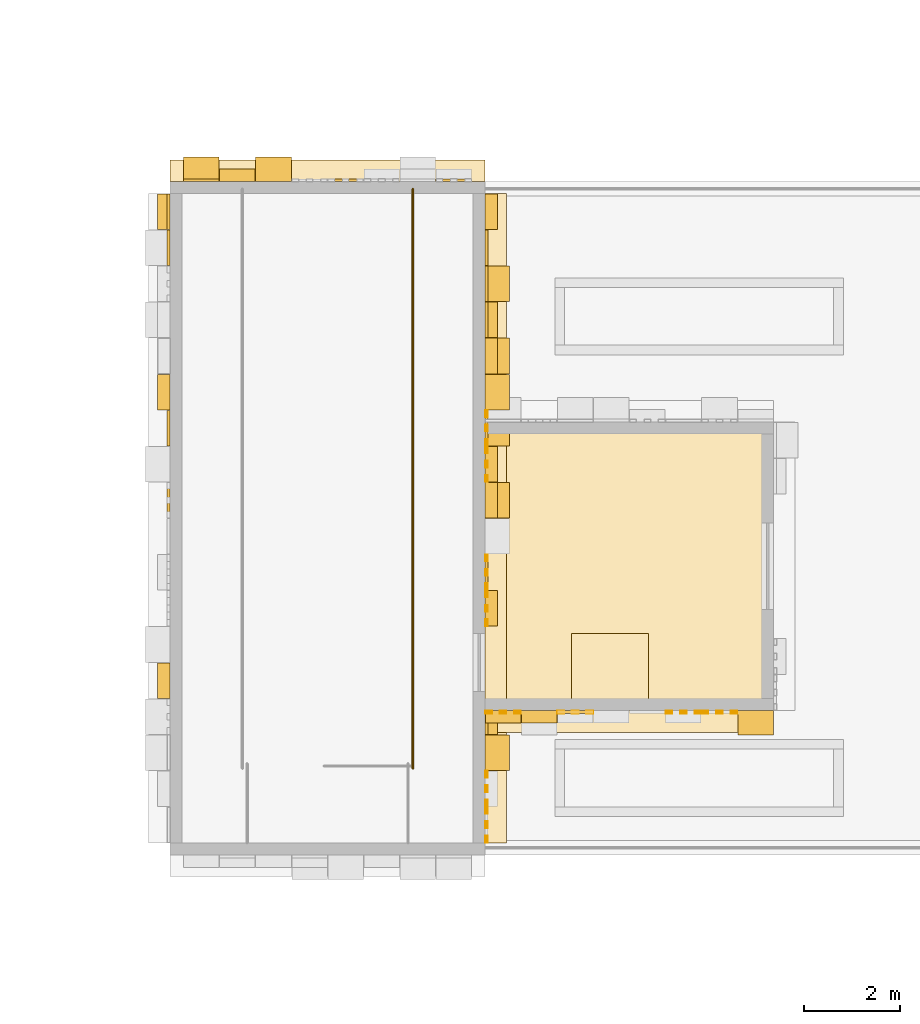
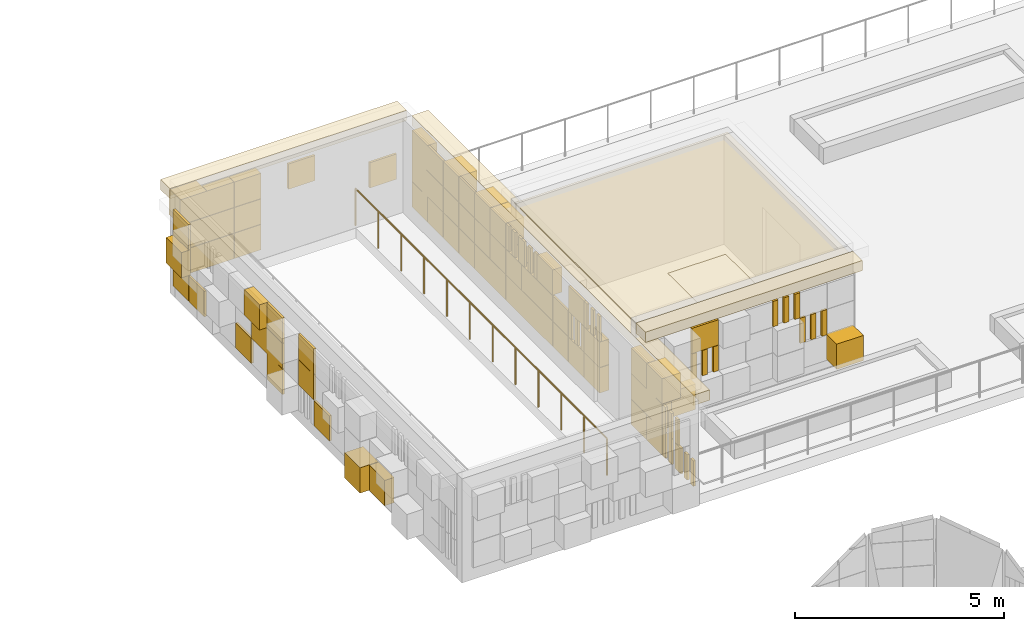
# One storey, part 81 of 98: 17 coverings, 1 railing.
"""IFC4 building model written with IfcOpenShell, lengths in metres."""

from ifc_helpers import new_model, si_unit, direction, frame, origin, origin_2d, place, context, subcontext, project, spatial, polyline, rectangle, circle, outline, extrude, material, layer, layer_set, type_object, element, save


model = new_model("IFC4")

# Units and contexts
model_context = context("Model", 3, precision=1e-05, world=origin(), true_north=direction((0.0, 1.0)))
body_context = subcontext(model_context, "Body", "Model", "MODEL_VIEW")
ifc_project = project(units=[si_unit("LENGTHUNIT", "METRE"), si_unit("AREAUNIT", "SQUARE_METRE"), si_unit("VOLUMEUNIT", "CUBIC_METRE"), si_unit("PLANEANGLEUNIT", "RADIAN"), si_unit("MASSUNIT", "GRAM", prefix="KILO")], contexts=[model_context])

# Site, building, storey
site_placement = place(None, origin())
site = spatial("IfcSite", under=ifc_project, at=site_placement, CompositionType="ELEMENT")
building_placement = place(site_placement, origin())
building = spatial("IfcBuilding", under=site, at=building_placement, Name="Sun Court Science Centre", CompositionType="ELEMENT")
storey_placement = place(building_placement, frame((0.0, 0.0, 15.75)))
storey = spatial("IfcBuildingStorey", under=building, at=storey_placement, Name="L03", CompositionType="ELEMENT", Elevation=15.75)

# Coverings
ifc_material_1 = material(Name="Gypsum board")
ifc_layer_1 = layer(ifc_material_1, 0.030029296875)
ifc_layer_set_1 = layer_set([ifc_layer_1], Name="Gypsum board")
covering_type_1 = type_object("IfcCoveringType", Name="Ceiling suspended 600 module", PredefinedType="CEILING", material=ifc_layer_set_1)
covering_1_placement = place(storey_placement, frame((0.0, 0.0, 3.02001953125)))
element("IfcCovering", 1, at=covering_1_placement, inside=storey, type_object=covering_type_1, Name="L03-034 ceiling", PredefinedType="CEILING", context=body_context, shape_type="SweptSolid", body=[
    extrude(outline(polyline([(45.949951171875, 40.60009765625), (44.35009765625, 40.60009765625), (44.35009765625, 39.0), (42.64990234375, 39.0), (42.64990234375, 45.0), (48.550048828125, 45.0), (48.550048828125, 39.0), (45.949951171875, 39.0), (45.949951171875, 40.60009765625)])), origin(), (0.0, 0.0, 1.0), 0.030029296875),
])
covering_2_placement = place(storey_placement, frame((0.0, 0.0, 3.02001953125)))
element("IfcCovering", 2, at=covering_2_placement, inside=storey, type_object=covering_type_1, Name="L03-035 ceiling", PredefinedType="CEILING", context=body_context, shape_type="SweptSolid", body=[
    extrude(outline(polyline([(45.949951171875, 40.60009765625), (45.949951171875, 39.0), (44.35009765625, 39.0), (44.35009765625, 40.60009765625), (45.949951171875, 40.60009765625)])), origin(), (0.0, 0.0, 1.0), 0.030029296875),
])

# Railing
ifc_material_2 = material(Name="Steel S275", Category="steel")
railing_type = type_object("IfcRailingType", Name="Guard 1100 steel balustrade", PredefinedType="GUARDRAIL", material=ifc_material_2)
railing_placement = place(storey_placement, frame((41.048095703125, 37.798095703125, 0.0)))
element("IfcRailing", 3, at=railing_placement, inside=storey, type_object=railing_type, Name="L03 SP1 top well guard 2", PredefinedType="GUARDRAIL", context=body_context, shape_type="SweptSolid", body=[
    extrude(circle(Radius=0.02392578125, at=origin_2d()), frame((0.0, 0.0, 1.076171875), z_axis=(0.0, 1.0, 0.0), x_axis=(-1.0, 0.0, 0.0)), (0.0, 0.0, 1.0), 12.052001953125),
    extrude(circle(Radius=0.02099609375, at=origin_2d()), origin(), (0.0, 0.0, 1.0), 1.052001953125),
    extrude(circle(Radius=0.02099609375, at=origin_2d()), frame((0.0, 1.095703125, 0.0)), (0.0, 0.0, 1.0), 1.052001953125),
    extrude(circle(Radius=0.02099609375, at=origin_2d()), frame((0.0, 2.191162109375, 0.0)), (0.0, 0.0, 1.0), 1.052001953125),
    extrude(circle(Radius=0.02099609375, at=origin_2d()), frame((0.0, 3.286865234375, 0.0)), (0.0, 0.0, 1.0), 1.052001953125),
    extrude(circle(Radius=0.02099609375, at=origin_2d()), frame((0.0, 4.382568359375, 0.0)), (0.0, 0.0, 1.0), 1.052001953125),
    extrude(circle(Radius=0.02099609375, at=origin_2d()), frame((0.0, 5.478271484375, 0.0)), (0.0, 0.0, 1.0), 1.052001953125),
    extrude(circle(Radius=0.02099609375, at=origin_2d()), frame((0.0, 6.57373046875, 0.0)), (0.0, 0.0, 1.0), 1.052001953125),
    extrude(circle(Radius=0.02099609375, at=origin_2d()), frame((0.0, 7.66943359375, 0.0)), (0.0, 0.0, 1.0), 1.052001953125),
    extrude(circle(Radius=0.02099609375, at=origin_2d()), frame((0.0, 8.76513671875, 0.0)), (0.0, 0.0, 1.0), 1.052001953125),
    extrude(circle(Radius=0.02099609375, at=origin_2d()), frame((0.0, 9.86083984375, 0.0)), (0.0, 0.0, 1.0), 1.052001953125),
    extrude(circle(Radius=0.02099609375, at=origin_2d()), frame((0.0, 10.956298828125, 0.0)), (0.0, 0.0, 1.0), 1.052001953125),
    extrude(circle(Radius=0.02099609375, at=origin_2d()), frame((0.0, 12.052001953125, 0.0)), (0.0, 0.0, 1.0), 1.052001953125),
])

# Coverings
ifc_material_3 = material(Name="Terracotta panel", Category="masonry")
ifc_layer_2 = layer(ifc_material_3, 0.449951171875)
ifc_layer_set_2 = layer_set([ifc_layer_2], Name="Terracotta panel")
covering_type_2 = type_object("IfcCoveringType", Name="Terracotta cornice 450", PredefinedType="CLADDING", material=ifc_layer_set_2)
covering_3_placement = place(storey_placement, frame((0.0, 0.0, -15.75)))
element("IfcCovering", 4, at=covering_3_placement, inside=storey, type_object=covering_type_2, Name="Terracotta cornice east face of core L03", PredefinedType="CLADDING", context=body_context, shape_type="SweptSolid", body=[
    extrude(rectangle(XDim=13.5, YDim=0.449951171875, at=origin_2d()), frame((42.77490234375, 43.0, 18.2001953125), z_axis=(0.0, 0.0, 1.0), x_axis=(0.0, -1.0, 0.0)), (0.0, 0.0, 1.0), 0.300048828125),
])
covering_4_placement = place(storey_placement, frame((0.0, 0.0, -15.75)))
element("IfcCovering", 5, at=covering_4_placement, inside=storey, type_object=covering_type_2, Name="Terracotta cornice north face of core L03", PredefinedType="CLADDING", context=body_context, shape_type="SweptSolid", body=[
    extrude(rectangle(XDim=6.550048828125, YDim=0.449951171875, at=origin_2d()), frame((39.27490234375, 50.22509765625, 18.2001953125), z_axis=(0.0, 0.0, 1.0), x_axis=(1.0, 0.0, 0.0)), (0.0, 0.0, 1.0), 0.300048828125),
])
covering_5_placement = place(storey_placement, frame((0.0, 0.0, -15.75)))
element("IfcCovering", 6, at=covering_5_placement, inside=storey, type_object=covering_type_2, Name="Terracotta cornice south wall L03", PredefinedType="CLADDING", context=body_context, shape_type="SweptSolid", body=[
    extrude(rectangle(XDim=6.0, YDim=0.449951171875, at=origin_2d()), frame((45.550048828125, 38.77490234375, 18.64990234375), z_axis=(0.0, 0.0, 1.0), x_axis=(-1.0, 0.0, 0.0)), (0.0, 0.0, 1.0), 0.300048828125),
])
ifc_material_4 = material(Name="Terracotta jali", Category="masonry")
ifc_layer_3 = layer(ifc_material_4, 0.06005859375)
ifc_layer_set_3 = layer_set([ifc_layer_3], Name="Terracotta jali")
covering_type_3 = type_object("IfcCoveringType", Name="Terracotta open jali panel", PredefinedType="CLADDING", material=ifc_layer_set_3)
covering_6_placement = place(storey_placement, frame((0.0, 0.0, -15.75)))
element("IfcCovering", 7, at=covering_6_placement, inside=storey, type_object=covering_type_3, Name="Open jali pixel cladding east face of core L03", PredefinedType="CLADDING", context=body_context, shape_type="SweptSolid", body=[
    extrude(rectangle(XDim=0.139892578125, YDim=0.06005859375, at=origin_2d()), frame((42.580078125, 37.675048828125, 15.830078125), z_axis=(0.0, 0.0, 1.0), x_axis=(0.0, -1.0, 0.0)), (0.0, 0.0, 1.0), 0.739990234375),
    extrude(rectangle(XDim=0.139892578125, YDim=0.06005859375, at=origin_2d()), frame((42.580078125, 37.375, 15.830078125), z_axis=(0.0, 0.0, 1.0), x_axis=(0.0, -1.0, 0.0)), (0.0, 0.0, 1.0), 0.739990234375),
    extrude(rectangle(XDim=0.139892578125, YDim=0.06005859375, at=origin_2d()), frame((42.580078125, 37.074951171875, 15.830078125), z_axis=(0.0, 0.0, 1.0), x_axis=(0.0, -1.0, 0.0)), (0.0, 0.0, 1.0), 0.739990234375),
    extrude(rectangle(XDim=0.139892578125, YDim=0.06005859375, at=origin_2d()), frame((42.580078125, 36.925048828125, 15.830078125), z_axis=(0.0, 0.0, 1.0), x_axis=(0.0, -1.0, 0.0)), (0.0, 0.0, 1.0), 0.739990234375),
    extrude(rectangle(XDim=0.139892578125, YDim=0.06005859375, at=origin_2d()), frame((42.580078125, 36.625, 15.830078125), z_axis=(0.0, 0.0, 1.0), x_axis=(0.0, -1.0, 0.0)), (0.0, 0.0, 1.0), 0.739990234375),
    extrude(rectangle(XDim=0.139892578125, YDim=0.06005859375, at=origin_2d()), frame((42.580078125, 36.324951171875, 15.830078125), z_axis=(0.0, 0.0, 1.0), x_axis=(0.0, -1.0, 0.0)), (0.0, 0.0, 1.0), 0.739990234375),
    extrude(rectangle(XDim=0.139892578125, YDim=0.06005859375, at=origin_2d()), frame((42.580078125, 42.175048828125, 16.580078125), z_axis=(0.0, 0.0, 1.0), x_axis=(0.0, -1.0, 0.0)), (0.0, 0.0, 1.0), 0.739990234375),
    extrude(rectangle(XDim=0.139892578125, YDim=0.06005859375, at=origin_2d()), frame((42.580078125, 41.875, 16.580078125), z_axis=(0.0, 0.0, 1.0), x_axis=(0.0, -1.0, 0.0)), (0.0, 0.0, 1.0), 0.739990234375),
    extrude(rectangle(XDim=0.139892578125, YDim=0.06005859375, at=origin_2d()), frame((42.580078125, 41.574951171875, 16.580078125), z_axis=(0.0, 0.0, 1.0), x_axis=(0.0, -1.0, 0.0)), (0.0, 0.0, 1.0), 0.739990234375),
    extrude(rectangle(XDim=0.139892578125, YDim=0.06005859375, at=origin_2d()), frame((42.580078125, 37.675048828125, 16.580078125), z_axis=(0.0, 0.0, 1.0), x_axis=(0.0, -1.0, 0.0)), (0.0, 0.0, 1.0), 0.739990234375),
    extrude(rectangle(XDim=0.139892578125, YDim=0.06005859375, at=origin_2d()), frame((42.580078125, 37.375, 16.580078125), z_axis=(0.0, 0.0, 1.0), x_axis=(0.0, -1.0, 0.0)), (0.0, 0.0, 1.0), 0.739990234375),
    extrude(rectangle(XDim=0.139892578125, YDim=0.06005859375, at=origin_2d()), frame((42.580078125, 37.074951171875, 16.580078125), z_axis=(0.0, 0.0, 1.0), x_axis=(0.0, -1.0, 0.0)), (0.0, 0.0, 1.0), 0.739990234375),
    extrude(rectangle(XDim=0.139892578125, YDim=0.06005859375, at=origin_2d()), frame((42.580078125, 45.175048828125, 17.330078125), z_axis=(0.0, 0.0, 1.0), x_axis=(0.0, -1.0, 0.0)), (0.0, 0.0, 1.0), 0.739990234375),
    extrude(rectangle(XDim=0.139892578125, YDim=0.06005859375, at=origin_2d()), frame((42.580078125, 44.875, 17.330078125), z_axis=(0.0, 0.0, 1.0), x_axis=(0.0, -1.0, 0.0)), (0.0, 0.0, 1.0), 0.739990234375),
    extrude(rectangle(XDim=0.139892578125, YDim=0.06005859375, at=origin_2d()), frame((42.580078125, 44.574951171875, 17.330078125), z_axis=(0.0, 0.0, 1.0), x_axis=(0.0, -1.0, 0.0)), (0.0, 0.0, 1.0), 0.739990234375),
    extrude(rectangle(XDim=0.139892578125, YDim=0.06005859375, at=origin_2d()), frame((42.580078125, 44.425048828125, 17.330078125), z_axis=(0.0, 0.0, 1.0), x_axis=(0.0, -1.0, 0.0)), (0.0, 0.0, 1.0), 0.739990234375),
    extrude(rectangle(XDim=0.139892578125, YDim=0.06005859375, at=origin_2d()), frame((42.580078125, 44.125, 17.330078125), z_axis=(0.0, 0.0, 1.0), x_axis=(0.0, -1.0, 0.0)), (0.0, 0.0, 1.0), 0.739990234375),
    extrude(rectangle(XDim=0.139892578125, YDim=0.06005859375, at=origin_2d()), frame((42.580078125, 43.824951171875, 17.330078125), z_axis=(0.0, 0.0, 1.0), x_axis=(0.0, -1.0, 0.0)), (0.0, 0.0, 1.0), 0.739990234375),
    extrude(rectangle(XDim=0.139892578125, YDim=0.06005859375, at=origin_2d()), frame((42.580078125, 41.425048828125, 17.330078125), z_axis=(0.0, 0.0, 1.0), x_axis=(0.0, -1.0, 0.0)), (0.0, 0.0, 1.0), 0.739990234375),
    extrude(rectangle(XDim=0.139892578125, YDim=0.06005859375, at=origin_2d()), frame((42.580078125, 41.125, 17.330078125), z_axis=(0.0, 0.0, 1.0), x_axis=(0.0, -1.0, 0.0)), (0.0, 0.0, 1.0), 0.739990234375),
    extrude(rectangle(XDim=0.139892578125, YDim=0.06005859375, at=origin_2d()), frame((42.580078125, 40.824951171875, 17.330078125), z_axis=(0.0, 0.0, 1.0), x_axis=(0.0, -1.0, 0.0)), (0.0, 0.0, 1.0), 0.739990234375),
])
covering_7_placement = place(storey_placement, frame((0.0, 0.0, -15.75)))
element("IfcCovering", 8, at=covering_7_placement, inside=storey, type_object=covering_type_3, Name="Open jali pixel cladding south wall L03", PredefinedType="CLADDING", context=body_context, shape_type="SweptSolid", body=[
    extrude(rectangle(XDim=0.139892578125, YDim=0.06005859375, at=origin_2d()), frame((47.72509765625, 38.969970703125, 16.80517578125), z_axis=(0.0, 0.0, 1.0), x_axis=(-1.0, 0.0, 0.0)), (0.0, 0.0, 1.0), 0.739990234375),
    extrude(rectangle(XDim=0.139892578125, YDim=0.06005859375, at=origin_2d()), frame((47.425048828125, 38.969970703125, 16.80517578125), z_axis=(0.0, 0.0, 1.0), x_axis=(-1.0, 0.0, 0.0)), (0.0, 0.0, 1.0), 0.739990234375),
    extrude(rectangle(XDim=0.139892578125, YDim=0.06005859375, at=origin_2d()), frame((47.125, 38.969970703125, 16.80517578125), z_axis=(0.0, 0.0, 1.0), x_axis=(-1.0, 0.0, 0.0)), (0.0, 0.0, 1.0), 0.739990234375),
    extrude(rectangle(XDim=0.139892578125, YDim=0.06005859375, at=origin_2d()), frame((44.72509765625, 38.969970703125, 16.80517578125), z_axis=(0.0, 0.0, 1.0), x_axis=(-1.0, 0.0, 0.0)), (0.0, 0.0, 1.0), 0.739990234375),
    extrude(rectangle(XDim=0.139892578125, YDim=0.06005859375, at=origin_2d()), frame((44.425048828125, 38.969970703125, 16.80517578125), z_axis=(0.0, 0.0, 1.0), x_axis=(-1.0, 0.0, 0.0)), (0.0, 0.0, 1.0), 0.739990234375),
    extrude(rectangle(XDim=0.139892578125, YDim=0.06005859375, at=origin_2d()), frame((44.125, 38.969970703125, 16.80517578125), z_axis=(0.0, 0.0, 1.0), x_axis=(-1.0, 0.0, 0.0)), (0.0, 0.0, 1.0), 0.739990234375),
    extrude(rectangle(XDim=0.139892578125, YDim=0.06005859375, at=origin_2d()), frame((43.22509765625, 38.969970703125, 16.80517578125), z_axis=(0.0, 0.0, 1.0), x_axis=(-1.0, 0.0, 0.0)), (0.0, 0.0, 1.0), 0.739990234375),
    extrude(rectangle(XDim=0.139892578125, YDim=0.06005859375, at=origin_2d()), frame((42.925048828125, 38.969970703125, 16.80517578125), z_axis=(0.0, 0.0, 1.0), x_axis=(-1.0, 0.0, 0.0)), (0.0, 0.0, 1.0), 0.739990234375),
    extrude(rectangle(XDim=0.139892578125, YDim=0.06005859375, at=origin_2d()), frame((42.625, 38.969970703125, 16.80517578125), z_axis=(0.0, 0.0, 1.0), x_axis=(-1.0, 0.0, 0.0)), (0.0, 0.0, 1.0), 0.739990234375),
    extrude(rectangle(XDim=0.139892578125, YDim=0.06005859375, at=origin_2d()), frame((46.97509765625, 38.969970703125, 17.55517578125), z_axis=(0.0, 0.0, 1.0), x_axis=(-1.0, 0.0, 0.0)), (0.0, 0.0, 1.0), 0.739990234375),
    extrude(rectangle(XDim=0.139892578125, YDim=0.06005859375, at=origin_2d()), frame((46.675048828125, 38.969970703125, 17.55517578125), z_axis=(0.0, 0.0, 1.0), x_axis=(-1.0, 0.0, 0.0)), (0.0, 0.0, 1.0), 0.739990234375),
    extrude(rectangle(XDim=0.139892578125, YDim=0.06005859375, at=origin_2d()), frame((46.375, 38.969970703125, 17.55517578125), z_axis=(0.0, 0.0, 1.0), x_axis=(-1.0, 0.0, 0.0)), (0.0, 0.0, 1.0), 0.739990234375),
])
ifc_material_5 = material(Name="Terracotta shade 1", Category="masonry")
ifc_layer_4 = layer(ifc_material_5, 0.06005859375)
ifc_layer_set_4 = layer_set([ifc_layer_4], Name="Terracotta shade 1")
covering_type_4 = type_object("IfcCoveringType", Name="Terracotta pixel panel shade 1", PredefinedType="CLADDING", material=ifc_layer_set_4)
covering_8_placement = place(storey_placement, frame((0.0, 0.0, -15.75)))
element("IfcCovering", 9, at=covering_8_placement, inside=storey, type_object=covering_type_4, Name="Terracotta pixel cladding shade 1 east face of core L03", PredefinedType="CLADDING", context=body_context, shape_type="SweptSolid", body=[
    extrude(rectangle(XDim=0.739990234375, YDim=0.260009765625, at=origin_2d()), frame((42.679931640625, 47.125, 15.830078125), z_axis=(0.0, 0.0, 1.0), x_axis=(0.0, -1.0, 0.0)), (0.0, 0.0, 1.0), 0.739990234375),
    extrude(rectangle(XDim=0.739990234375, YDim=0.06005859375, at=origin_2d()), frame((42.580078125, 42.625, 15.830078125), z_axis=(0.0, 0.0, 1.0), x_axis=(0.0, -1.0, 0.0)), (0.0, 0.0, 1.0), 0.739990234375),
    extrude(rectangle(XDim=0.739990234375, YDim=0.06005859375, at=origin_2d()), frame((42.580078125, 48.625, 16.580078125), z_axis=(0.0, 0.0, 1.0), x_axis=(0.0, -1.0, 0.0)), (0.0, 0.0, 1.0), 0.739990234375),
    extrude(rectangle(XDim=0.739990234375, YDim=0.06005859375, at=origin_2d()), frame((42.580078125, 47.125, 16.580078125), z_axis=(0.0, 0.0, 1.0), x_axis=(0.0, -1.0, 0.0)), (0.0, 0.0, 1.0), 0.739990234375),
    extrude(rectangle(XDim=0.739990234375, YDim=0.510009765625, at=origin_2d()), frame((42.804931640625, 45.625, 16.580078125), z_axis=(0.0, 0.0, 1.0), x_axis=(0.0, -1.0, 0.0)), (0.0, 0.0, 1.0), 0.739990234375),
    extrude(rectangle(XDim=0.739990234375, YDim=0.260009765625, at=origin_2d()), frame((42.679931640625, 44.125, 16.580078125), z_axis=(0.0, 0.0, 1.0), x_axis=(0.0, -1.0, 0.0)), (0.0, 0.0, 1.0), 0.739990234375),
    extrude(rectangle(XDim=0.739990234375, YDim=0.06005859375, at=origin_2d()), frame((42.580078125, 43.375, 16.580078125), z_axis=(0.0, 0.0, 1.0), x_axis=(0.0, -1.0, 0.0)), (0.0, 0.0, 1.0), 0.739990234375),
    extrude(rectangle(XDim=0.739990234375, YDim=0.260009765625, at=origin_2d()), frame((42.679931640625, 41.125, 16.580078125), z_axis=(0.0, 0.0, 1.0), x_axis=(0.0, -1.0, 0.0)), (0.0, 0.0, 1.0), 0.739990234375),
    extrude(rectangle(XDim=0.739990234375, YDim=0.260009765625, at=origin_2d()), frame((42.679931640625, 49.375, 17.330078125), z_axis=(0.0, 0.0, 1.0), x_axis=(0.0, -1.0, 0.0)), (0.0, 0.0, 1.0), 0.739990234375),
    extrude(rectangle(XDim=0.739990234375, YDim=0.06005859375, at=origin_2d()), frame((42.580078125, 48.625, 17.330078125), z_axis=(0.0, 0.0, 1.0), x_axis=(0.0, -1.0, 0.0)), (0.0, 0.0, 1.0), 0.739990234375),
    extrude(rectangle(XDim=0.739990234375, YDim=0.510009765625, at=origin_2d()), frame((42.804931640625, 46.375, 17.330078125), z_axis=(0.0, 0.0, 1.0), x_axis=(0.0, -1.0, 0.0)), (0.0, 0.0, 1.0), 0.739990234375),
    extrude(rectangle(XDim=0.739990234375, YDim=0.260009765625, at=origin_2d()), frame((42.679931640625, 38.875, 17.330078125), z_axis=(0.0, 0.0, 1.0), x_axis=(0.0, -1.0, 0.0)), (0.0, 0.0, 1.0), 0.739990234375),
    extrude(rectangle(XDim=0.739990234375, YDim=0.06005859375, at=origin_2d()), frame((42.580078125, 49.375, 15.830078125), z_axis=(0.0, 0.0, 1.0), x_axis=(0.0, -1.0, 0.0)), (0.0, 0.0, 1.0), 0.739990234375),
    extrude(rectangle(XDim=0.739990234375, YDim=0.06005859375, at=origin_2d()), frame((42.580078125, 49.375, 16.580078125), z_axis=(0.0, 0.0, 1.0), x_axis=(0.0, -1.0, 0.0)), (0.0, 0.0, 1.0), 0.739990234375),
    extrude(rectangle(XDim=0.739990234375, YDim=0.260009765625, at=origin_2d()), frame((42.679931640625, 38.875, 15.830078125), z_axis=(0.0, 0.0, 1.0), x_axis=(0.0, -1.0, 0.0)), (0.0, 0.0, 1.0), 0.739990234375),
])
covering_9_placement = place(storey_placement, frame((0.0, 0.0, -15.75)))
element("IfcCovering", 10, at=covering_9_placement, inside=storey, type_object=covering_type_4, Name="Terracotta pixel cladding shade 1 west face of core L03", PredefinedType="CLADDING", context=body_context, shape_type="SweptSolid", body=[
    extrude(rectangle(XDim=0.739990234375, YDim=0.260009765625, at=origin_2d()), frame((35.8701171875, 39.625, 15.830078125), z_axis=(0.0, 0.0, 1.0), x_axis=(0.0, 1.0, 0.0)), (0.0, 0.0, 1.0), 0.739990234375),
    extrude(rectangle(XDim=0.739990234375, YDim=0.510009765625, at=origin_2d()), frame((35.7451171875, 40.375, 15.830078125), z_axis=(0.0, 0.0, 1.0), x_axis=(0.0, 1.0, 0.0)), (0.0, 0.0, 1.0), 0.739990234375),
    extrude(rectangle(XDim=0.739990234375, YDim=0.06005859375, at=origin_2d()), frame((35.969970703125, 42.625, 15.830078125), z_axis=(0.0, 0.0, 1.0), x_axis=(0.0, 1.0, 0.0)), (0.0, 0.0, 1.0), 0.739990234375),
    extrude(rectangle(XDim=0.739990234375, YDim=0.06005859375, at=origin_2d()), frame((35.969970703125, 44.875, 15.830078125), z_axis=(0.0, 0.0, 1.0), x_axis=(0.0, 1.0, 0.0)), (0.0, 0.0, 1.0), 0.739990234375),
    extrude(rectangle(XDim=0.739990234375, YDim=0.06005859375, at=origin_2d()), frame((35.969970703125, 46.375, 15.830078125), z_axis=(0.0, 0.0, 1.0), x_axis=(0.0, 1.0, 0.0)), (0.0, 0.0, 1.0), 0.739990234375),
    extrude(rectangle(XDim=0.739990234375, YDim=0.06005859375, at=origin_2d()), frame((35.969970703125, 48.625, 15.830078125), z_axis=(0.0, 0.0, 1.0), x_axis=(0.0, 1.0, 0.0)), (0.0, 0.0, 1.0), 0.739990234375),
    extrude(rectangle(XDim=0.739990234375, YDim=0.06005859375, at=origin_2d()), frame((35.969970703125, 43.375, 16.580078125), z_axis=(0.0, 0.0, 1.0), x_axis=(0.0, 1.0, 0.0)), (0.0, 0.0, 1.0), 0.739990234375),
    extrude(rectangle(XDim=0.739990234375, YDim=0.06005859375, at=origin_2d()), frame((35.969970703125, 44.875, 16.580078125), z_axis=(0.0, 0.0, 1.0), x_axis=(0.0, 1.0, 0.0)), (0.0, 0.0, 1.0), 0.739990234375),
    extrude(rectangle(XDim=0.739990234375, YDim=0.06005859375, at=origin_2d()), frame((35.969970703125, 45.625, 16.580078125), z_axis=(0.0, 0.0, 1.0), x_axis=(0.0, 1.0, 0.0)), (0.0, 0.0, 1.0), 0.739990234375),
    extrude(rectangle(XDim=0.739990234375, YDim=0.260009765625, at=origin_2d()), frame((35.8701171875, 49.375, 16.580078125), z_axis=(0.0, 0.0, 1.0), x_axis=(0.0, 1.0, 0.0)), (0.0, 0.0, 1.0), 0.739990234375),
    extrude(rectangle(XDim=0.739990234375, YDim=0.06005859375, at=origin_2d()), frame((35.969970703125, 43.375, 17.330078125), z_axis=(0.0, 0.0, 1.0), x_axis=(0.0, 1.0, 0.0)), (0.0, 0.0, 1.0), 0.739990234375),
    extrude(rectangle(XDim=0.739990234375, YDim=0.06005859375, at=origin_2d()), frame((35.969970703125, 44.875, 17.330078125), z_axis=(0.0, 0.0, 1.0), x_axis=(0.0, 1.0, 0.0)), (0.0, 0.0, 1.0), 0.739990234375),
    extrude(rectangle(XDim=0.739990234375, YDim=0.260009765625, at=origin_2d()), frame((35.8701171875, 45.625, 17.330078125), z_axis=(0.0, 0.0, 1.0), x_axis=(0.0, 1.0, 0.0)), (0.0, 0.0, 1.0), 0.739990234375),
    extrude(rectangle(XDim=0.739990234375, YDim=0.06005859375, at=origin_2d()), frame((35.969970703125, 49.375, 17.330078125), z_axis=(0.0, 0.0, 1.0), x_axis=(0.0, 1.0, 0.0)), (0.0, 0.0, 1.0), 0.739990234375),
    extrude(rectangle(XDim=0.739990234375, YDim=0.06005859375, at=origin_2d()), frame((35.969970703125, 49.375, 15.830078125), z_axis=(0.0, 0.0, 1.0), x_axis=(0.0, 1.0, 0.0)), (0.0, 0.0, 1.0), 0.739990234375),
])
ifc_material_6 = material(Name="Terracotta shade 2", Category="masonry")
ifc_layer_5 = layer(ifc_material_6, 0.06005859375)
ifc_layer_set_5 = layer_set([ifc_layer_5], Name="Terracotta shade 2")
covering_type_5 = type_object("IfcCoveringType", Name="Terracotta pixel panel shade 2", PredefinedType="CLADDING", material=ifc_layer_set_5)
covering_10_placement = place(storey_placement, frame((0.0, 0.0, -15.75)))
element("IfcCovering", 11, at=covering_10_placement, inside=storey, type_object=covering_type_5, Name="Terracotta pixel cladding shade 2 east face of core L03", PredefinedType="CLADDING", context=body_context, shape_type="SweptSolid", body=[
    extrude(rectangle(XDim=0.739990234375, YDim=0.06005859375, at=origin_2d()), frame((42.580078125, 48.625, 15.830078125), z_axis=(0.0, 0.0, 1.0), x_axis=(0.0, -1.0, 0.0)), (0.0, 0.0, 1.0), 0.739990234375),
    extrude(rectangle(XDim=0.739990234375, YDim=0.510009765625, at=origin_2d()), frame((42.804931640625, 47.875, 15.830078125), z_axis=(0.0, 0.0, 1.0), x_axis=(0.0, -1.0, 0.0)), (0.0, 0.0, 1.0), 0.739990234375),
    extrude(rectangle(XDim=0.739990234375, YDim=0.260009765625, at=origin_2d()), frame((42.679931640625, 41.125, 15.830078125), z_axis=(0.0, 0.0, 1.0), x_axis=(0.0, -1.0, 0.0)), (0.0, 0.0, 1.0), 0.739990234375),
    extrude(rectangle(XDim=0.739990234375, YDim=0.06005859375, at=origin_2d()), frame((42.580078125, 38.125, 15.830078125), z_axis=(0.0, 0.0, 1.0), x_axis=(0.0, -1.0, 0.0)), (0.0, 0.0, 1.0), 0.739990234375),
    extrude(rectangle(XDim=0.739990234375, YDim=0.510009765625, at=origin_2d()), frame((42.804931640625, 44.875, 16.580078125), z_axis=(0.0, 0.0, 1.0), x_axis=(0.0, -1.0, 0.0)), (0.0, 0.0, 1.0), 0.739990234375),
    extrude(rectangle(XDim=0.739990234375, YDim=0.06005859375, at=origin_2d()), frame((42.580078125, 42.625, 16.580078125), z_axis=(0.0, 0.0, 1.0), x_axis=(0.0, -1.0, 0.0)), (0.0, 0.0, 1.0), 0.739990234375),
    extrude(rectangle(XDim=0.739990234375, YDim=0.06005859375, at=origin_2d()), frame((42.580078125, 38.875, 16.580078125), z_axis=(0.0, 0.0, 1.0), x_axis=(0.0, -1.0, 0.0)), (0.0, 0.0, 1.0), 0.739990234375),
    extrude(rectangle(XDim=0.739990234375, YDim=0.510009765625, at=origin_2d()), frame((42.804931640625, 47.875, 17.330078125), z_axis=(0.0, 0.0, 1.0), x_axis=(0.0, -1.0, 0.0)), (0.0, 0.0, 1.0), 0.739990234375),
    extrude(rectangle(XDim=0.739990234375, YDim=0.06005859375, at=origin_2d()), frame((42.580078125, 47.125, 17.330078125), z_axis=(0.0, 0.0, 1.0), x_axis=(0.0, -1.0, 0.0)), (0.0, 0.0, 1.0), 0.739990234375),
    extrude(rectangle(XDim=0.739990234375, YDim=0.260009765625, at=origin_2d()), frame((42.679931640625, 38.125, 16.580078125), z_axis=(0.0, 0.0, 1.0), x_axis=(0.0, -1.0, 0.0)), (0.0, 0.0, 1.0), 0.739990234375),
    extrude(rectangle(XDim=0.739990234375, YDim=0.510009765625, at=origin_2d()), frame((42.804931640625, 38.125, 17.330078125), z_axis=(0.0, 0.0, 1.0), x_axis=(0.0, -1.0, 0.0)), (0.0, 0.0, 1.0), 0.739990234375),
])
covering_11_placement = place(storey_placement, frame((0.0, 0.0, -15.75)))
element("IfcCovering", 12, at=covering_11_placement, inside=storey, type_object=covering_type_5, Name="Terracotta pixel cladding shade 2 north face of core L03", PredefinedType="CLADDING", context=body_context, shape_type="SweptSolid", body=[
    extrude(rectangle(XDim=0.739990234375, YDim=0.06005859375, at=origin_2d()), frame((38.14990234375, 50.030029296875, 16.580078125), z_axis=(0.0, 0.0, 1.0), x_axis=(1.0, 0.0, 0.0)), (0.0, 0.0, 1.0), 0.739990234375),
    extrude(rectangle(XDim=0.739990234375, YDim=0.06005859375, at=origin_2d()), frame((41.89990234375, 50.030029296875, 16.580078125), z_axis=(0.0, 0.0, 1.0), x_axis=(1.0, 0.0, 0.0)), (0.0, 0.0, 1.0), 0.739990234375),
    extrude(rectangle(XDim=0.739990234375, YDim=0.510009765625, at=origin_2d()), frame((36.64990234375, 50.2548828125, 17.330078125), z_axis=(0.0, 0.0, 1.0), x_axis=(1.0, 0.0, 0.0)), (0.0, 0.0, 1.0), 0.739990234375),
    extrude(rectangle(XDim=0.739990234375, YDim=0.260009765625, at=origin_2d()), frame((37.39990234375, 50.1298828125, 17.330078125), z_axis=(0.0, 0.0, 1.0), x_axis=(1.0, 0.0, 0.0)), (0.0, 0.0, 1.0), 0.739990234375),
    extrude(rectangle(XDim=0.739990234375, YDim=0.06005859375, at=origin_2d()), frame((39.64990234375, 50.030029296875, 17.330078125), z_axis=(0.0, 0.0, 1.0), x_axis=(1.0, 0.0, 0.0)), (0.0, 0.0, 1.0), 0.739990234375),
])
ifc_material_7 = material(Name="Terracotta shade 3", Category="masonry")
ifc_layer_6 = layer(ifc_material_7, 0.06005859375)
ifc_layer_set_6 = layer_set([ifc_layer_6], Name="Terracotta shade 3")
covering_type_6 = type_object("IfcCoveringType", Name="Terracotta pixel panel shade 3", PredefinedType="CLADDING", material=ifc_layer_set_6)
covering_12_placement = place(storey_placement, frame((0.0, 0.0, -15.75)))
element("IfcCovering", 13, at=covering_12_placement, inside=storey, type_object=covering_type_6, Name="Terracotta pixel cladding shade 3 east face of core L03", PredefinedType="CLADDING", context=body_context, shape_type="SweptSolid", body=[
    extrude(rectangle(XDim=0.739990234375, YDim=0.06005859375, at=origin_2d()), frame((42.580078125, 46.375, 15.830078125), z_axis=(0.0, 0.0, 1.0), x_axis=(0.0, -1.0, 0.0)), (0.0, 0.0, 1.0), 0.739990234375),
    extrude(rectangle(XDim=0.739990234375, YDim=0.260009765625, at=origin_2d()), frame((42.679931640625, 45.625, 15.830078125), z_axis=(0.0, 0.0, 1.0), x_axis=(0.0, -1.0, 0.0)), (0.0, 0.0, 1.0), 0.739990234375),
    extrude(rectangle(XDim=0.739990234375, YDim=0.06005859375, at=origin_2d()), frame((42.580078125, 44.875, 15.830078125), z_axis=(0.0, 0.0, 1.0), x_axis=(0.0, -1.0, 0.0)), (0.0, 0.0, 1.0), 0.739990234375),
    extrude(rectangle(XDim=0.739990234375, YDim=0.260009765625, at=origin_2d()), frame((42.679931640625, 44.125, 15.830078125), z_axis=(0.0, 0.0, 1.0), x_axis=(0.0, -1.0, 0.0)), (0.0, 0.0, 1.0), 0.739990234375),
    extrude(rectangle(XDim=0.739990234375, YDim=0.510009765625, at=origin_2d()), frame((42.804931640625, 43.375, 15.830078125), z_axis=(0.0, 0.0, 1.0), x_axis=(0.0, -1.0, 0.0)), (0.0, 0.0, 1.0), 0.739990234375),
    extrude(rectangle(XDim=0.739990234375, YDim=0.06005859375, at=origin_2d()), frame((42.580078125, 41.875, 15.830078125), z_axis=(0.0, 0.0, 1.0), x_axis=(0.0, -1.0, 0.0)), (0.0, 0.0, 1.0), 0.739990234375),
    extrude(rectangle(XDim=0.739990234375, YDim=0.510009765625, at=origin_2d()), frame((42.804931640625, 45.625, 17.330078125), z_axis=(0.0, 0.0, 1.0), x_axis=(0.0, -1.0, 0.0)), (0.0, 0.0, 1.0), 0.739990234375),
    extrude(rectangle(XDim=0.739990234375, YDim=0.06005859375, at=origin_2d()), frame((42.580078125, 41.875, 17.330078125), z_axis=(0.0, 0.0, 1.0), x_axis=(0.0, -1.0, 0.0)), (0.0, 0.0, 1.0), 0.739990234375),
    extrude(rectangle(XDim=0.739990234375, YDim=0.260009765625, at=origin_2d()), frame((42.679931640625, 46.375, 16.580078125), z_axis=(0.0, 0.0, 1.0), x_axis=(0.0, -1.0, 0.0)), (0.0, 0.0, 1.0), 0.739990234375),
])
covering_13_placement = place(storey_placement, frame((0.0, 0.0, -15.75)))
element("IfcCovering", 14, at=covering_13_placement, inside=storey, type_object=covering_type_6, Name="Terracotta pixel cladding shade 3 north face of core L03", PredefinedType="CLADDING", context=body_context, shape_type="SweptSolid", body=[
    extrude(rectangle(XDim=0.739990234375, YDim=0.06005859375, at=origin_2d()), frame((36.64990234375, 50.030029296875, 15.830078125), z_axis=(0.0, 0.0, 1.0), x_axis=(1.0, 0.0, 0.0)), (0.0, 0.0, 1.0), 0.739990234375),
    extrude(rectangle(XDim=0.739990234375, YDim=0.06005859375, at=origin_2d()), frame((37.39990234375, 50.030029296875, 15.830078125), z_axis=(0.0, 0.0, 1.0), x_axis=(1.0, 0.0, 0.0)), (0.0, 0.0, 1.0), 0.739990234375),
    extrude(rectangle(XDim=0.739990234375, YDim=0.260009765625, at=origin_2d()), frame((37.39990234375, 50.1298828125, 16.580078125), z_axis=(0.0, 0.0, 1.0), x_axis=(1.0, 0.0, 0.0)), (0.0, 0.0, 1.0), 0.739990234375),
    extrude(rectangle(XDim=0.739990234375, YDim=0.260009765625, at=origin_2d()), frame((38.14990234375, 50.1298828125, 17.330078125), z_axis=(0.0, 0.0, 1.0), x_axis=(1.0, 0.0, 0.0)), (0.0, 0.0, 1.0), 0.739990234375),
    extrude(rectangle(XDim=0.739990234375, YDim=0.06005859375, at=origin_2d()), frame((36.64990234375, 50.030029296875, 16.580078125), z_axis=(0.0, 0.0, 1.0), x_axis=(1.0, 0.0, 0.0)), (0.0, 0.0, 1.0), 0.739990234375),
])
ifc_material_8 = material(Name="Terracotta shade 4", Category="masonry")
ifc_layer_7 = layer(ifc_material_8, 0.06005859375)
ifc_layer_set_7 = layer_set([ifc_layer_7], Name="Terracotta shade 4")
covering_type_7 = type_object("IfcCoveringType", Name="Terracotta pixel panel shade 4", PredefinedType="CLADDING", material=ifc_layer_set_7)
covering_14_placement = place(storey_placement, frame((0.0, 0.0, -15.75)))
element("IfcCovering", 15, at=covering_14_placement, inside=storey, type_object=covering_type_7, Name="Terracotta pixel cladding shade 4 south wall L03", PredefinedType="CLADDING", context=body_context, shape_type="SweptSolid", body=[
    extrude(rectangle(XDim=0.739990234375, YDim=0.510009765625, at=origin_2d()), frame((48.175048828125, 38.7451171875, 16.05517578125), z_axis=(0.0, 0.0, 1.0), x_axis=(-1.0, 0.0, 0.0)), (0.0, 0.0, 1.0), 0.739990234375),
    extrude(rectangle(XDim=0.739990234375, YDim=0.260009765625, at=origin_2d()), frame((43.675048828125, 38.8701171875, 16.05517578125), z_axis=(0.0, 0.0, 1.0), x_axis=(-1.0, 0.0, 0.0)), (0.0, 0.0, 1.0), 0.739990234375),
    extrude(rectangle(XDim=0.739990234375, YDim=0.260009765625, at=origin_2d()), frame((42.925048828125, 38.8701171875, 16.05517578125), z_axis=(0.0, 0.0, 1.0), x_axis=(-1.0, 0.0, 0.0)), (0.0, 0.0, 1.0), 0.739990234375),
])
ifc_material_9 = material(Name="Terracotta shade 5", Category="masonry")
ifc_layer_8 = layer(ifc_material_9, 0.06005859375)
ifc_layer_set_8 = layer_set([ifc_layer_8], Name="Terracotta shade 5")
covering_type_8 = type_object("IfcCoveringType", Name="Terracotta pixel panel shade 5", PredefinedType="CLADDING", material=ifc_layer_set_8)
covering_15_placement = place(storey_placement, frame((0.0, 0.0, -15.75)))
element("IfcCovering", 16, at=covering_15_placement, inside=storey, type_object=covering_type_8, Name="Terracotta pixel cladding shade 5 east face of core L03", PredefinedType="CLADDING", context=body_context, shape_type="SweptSolid", body=[
    extrude(rectangle(XDim=0.739990234375, YDim=0.06005859375, at=origin_2d()), frame((42.580078125, 47.875, 16.580078125), z_axis=(0.0, 0.0, 1.0), x_axis=(0.0, -1.0, 0.0)), (0.0, 0.0, 1.0), 0.739990234375),
    extrude(rectangle(XDim=0.739990234375, YDim=0.260009765625, at=origin_2d()), frame((42.679931640625, 43.375, 17.330078125), z_axis=(0.0, 0.0, 1.0), x_axis=(0.0, -1.0, 0.0)), (0.0, 0.0, 1.0), 0.739990234375),
])
covering_16_placement = place(storey_placement, frame((0.0, 0.0, -15.75)))
element("IfcCovering", 17, at=covering_16_placement, inside=storey, type_object=covering_type_8, Name="Terracotta pixel cladding shade 5 north face of core L03", PredefinedType="CLADDING", context=body_context, shape_type="SweptSolid", body=[
    extrude(rectangle(XDim=0.739990234375, YDim=0.510009765625, at=origin_2d()), frame((38.14990234375, 50.2548828125, 15.830078125), z_axis=(0.0, 0.0, 1.0), x_axis=(1.0, 0.0, 0.0)), (0.0, 0.0, 1.0), 0.739990234375),
])
covering_17_placement = place(storey_placement, frame((0.0, 0.0, -15.75)))
element("IfcCovering", 18, at=covering_17_placement, inside=storey, type_object=covering_type_8, Name="Terracotta pixel cladding shade 5 south wall L03", PredefinedType="CLADDING", context=body_context, shape_type="SweptSolid", body=[
    extrude(rectangle(XDim=0.739990234375, YDim=0.06005859375, at=origin_2d()), frame((44.425048828125, 38.969970703125, 17.55517578125), z_axis=(0.0, 0.0, 1.0), x_axis=(-1.0, 0.0, 0.0)), (0.0, 0.0, 1.0), 0.739990234375),
])

save(model, "model.ifc")
